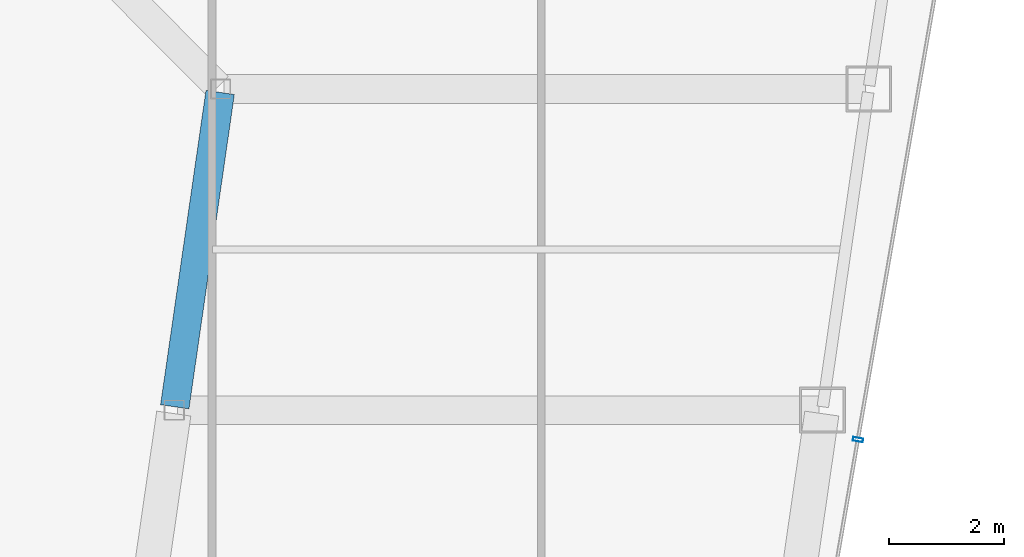
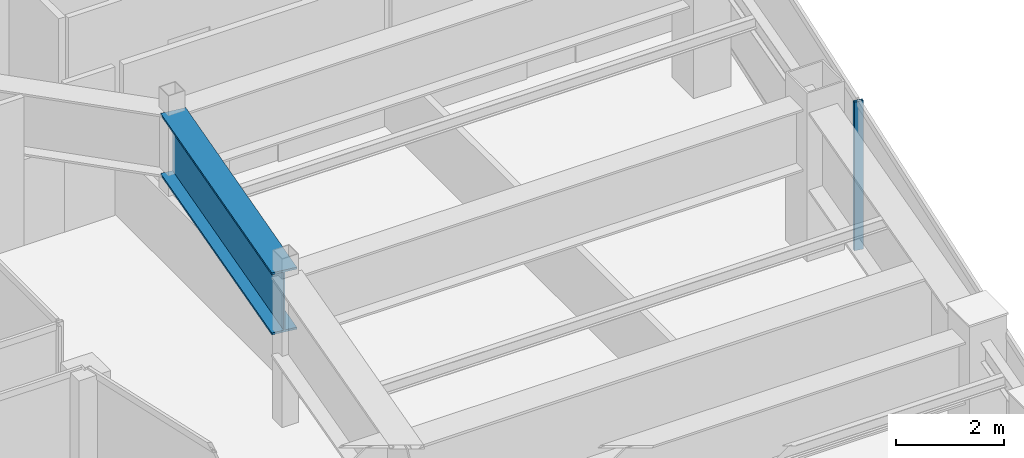
# One storey, part 18 of 35: 1 beam, 1 member, 1 element without a shape of its own.
"""IFC4 building model written with IfcOpenShell, lengths in metres."""

from ifc_helpers import new_model, si_unit, direction, frame, origin, origin_2d, place, context, subcontext, project, spatial, hollow_rectangle, i_section, extrude, material, material_profile, profile_set, type_object, element, aggregate, save


model = new_model("IFC4")

# Units and contexts
model_context = context("Model", 3, precision=1e-05, world=origin(), true_north=direction((0.0, 1.0)))
body_context = subcontext(model_context, "Body", "Model", "MODEL_VIEW")
ifc_project = project(units=[si_unit("LENGTHUNIT", "METRE"), si_unit("AREAUNIT", "SQUARE_METRE"), si_unit("VOLUMEUNIT", "CUBIC_METRE"), si_unit("PLANEANGLEUNIT", "RADIAN"), si_unit("MASSUNIT", "GRAM", prefix="KILO")], contexts=[model_context])

# Site, building, storey
site_placement = place(None, origin())
site = spatial("IfcSite", under=ifc_project, at=site_placement, CompositionType="ELEMENT")
building_placement = place(site_placement, origin())
building = spatial("IfcBuilding", under=site, at=building_placement, Name="Saevonmaru Cultural Tower", CompositionType="ELEMENT")
storey_placement = place(building_placement, frame((0.0, 0.0, 249.60009765625)))
storey = spatial("IfcBuildingStorey", under=building, at=storey_placement, Name="L58", CompositionType="ELEMENT", Elevation=249.60009765625)

# Beam
ifc_material_1 = material(Name="Steel HSA600 (600 MPa)", Category="steel")
ifc_material_profile_1 = material_profile(ifc_material_1, i_section(OverallWidth=0.5, OverallDepth=1.39990234375, WebThickness=0.02392578125, FlangeThickness=0.044921875, at=origin_2d()), Name="PG-1400x500x24x45")
ifc_profile_set_1 = profile_set([ifc_material_profile_1], Name="Steel HSA600 (600 MPa)")
beam_type = type_object("IfcBeamType", Name="BM-TG-PG1400", PredefinedType="BEAM", material=ifc_profile_set_1)
beam_placement = place(storey_placement, frame((40.3916015625, 32.059326171875, 2.64990234375), z_axis=(0.142964121327, 0.989727871697, 0.0), x_axis=(-0.989727871697, 0.142964121327, 0.0)))
element("IfcBeam", 1, at=beam_placement, inside=storey, type_object=beam_type, Name="L58 East Atrium Girder 3", PredefinedType="BEAM", context=body_context, shape_type="SweptSolid", body=[
    extrude(i_section(OverallWidth=0.5, OverallDepth=1.39990234375, WebThickness=0.02392578125, FlangeThickness=0.044921875, at=origin_2d()), origin(), (0.0, 0.0, 1.0), 5.5380859375),
])

# Curtain wall, member
ifc_material_2 = material(Name="Satin Bronze Anodised Aluminium", Category="aluminium")
curtain_wall_type = type_object("IfcCurtainWallType", Name="CW-TYP-B", PredefinedType="NOTDEFINED", material=ifc_material_2)
curtain_wall_placement = place(storey_placement, origin())
curtain_wall = element("IfcCurtainWall", 2, at=curtain_wall_placement, inside=storey, type_object=curtain_wall_type, Name="L58 Unitised Curtain Wall E8", PredefinedType="NOTDEFINED")
ifc_material_profile_2 = material_profile(ifc_material_2, hollow_rectangle(XDim=0.06494140625, YDim=0.179931640625, WallThickness=0.00390625, at=origin_2d()), Name="ALU-MULL-180x65x4")
ifc_profile_set_2 = profile_set([ifc_material_profile_2], Name="Satin Bronze Anodised Aluminium")
member_type = type_object("IfcMemberType", Name="ML-CW-180x65", PredefinedType="MULLION", material=ifc_profile_set_2)
member_placement = place(storey_placement, frame((52.3056640625, 31.486328125, 0.0), z_axis=(0.0, 0.0, 1.0), x_axis=(0.170790369887, 0.985307388359, 0.0)))
member = element("IfcMember", 3, at=member_placement, type_object=member_type, Name="CW-TW-L58-E8 mullion 2", PredefinedType="MULLION", context=body_context, shape_type="SweptSolid", body=[
    extrude(hollow_rectangle(XDim=0.06494140625, YDim=0.179931640625, WallThickness=0.00390625, at=origin_2d()), origin(), (0.0, 0.0, 1.0), 3.349853515625),
])
aggregate(curtain_wall, [member])

save(model, "model.ifc")
